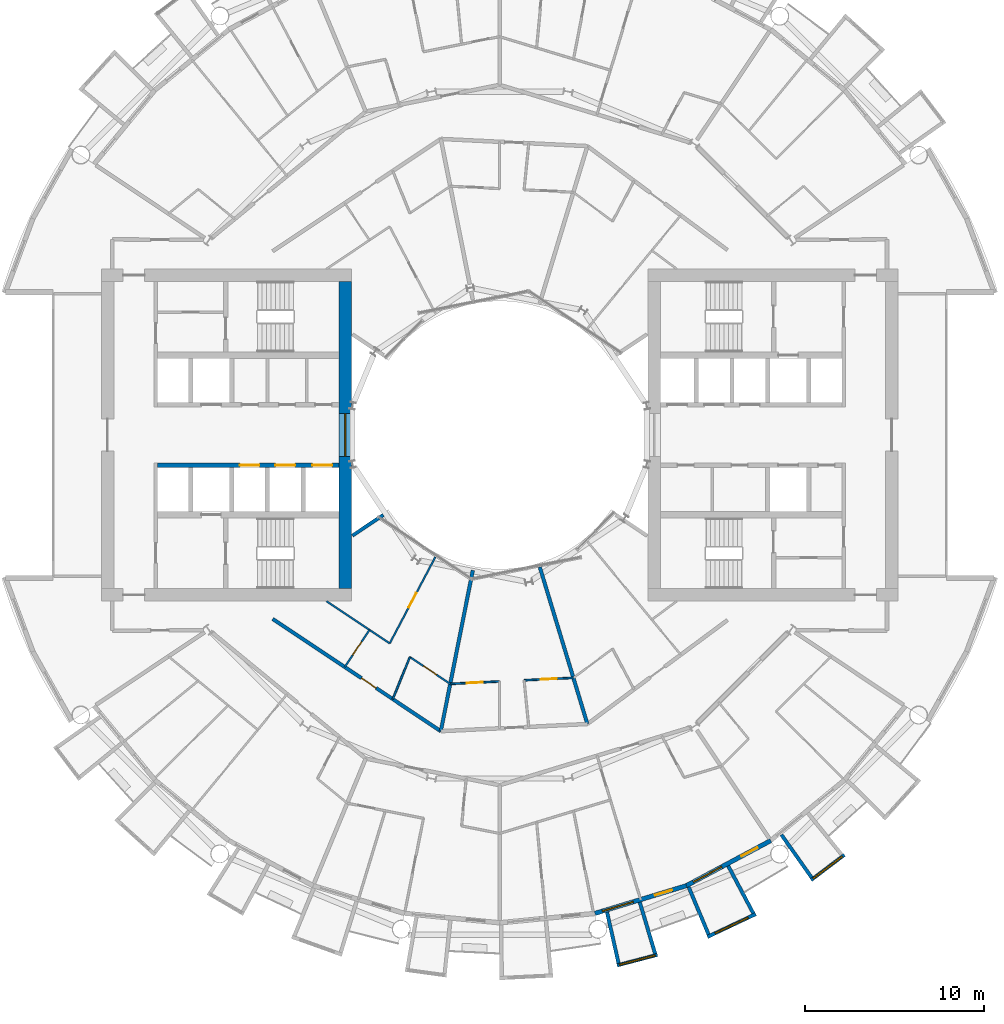
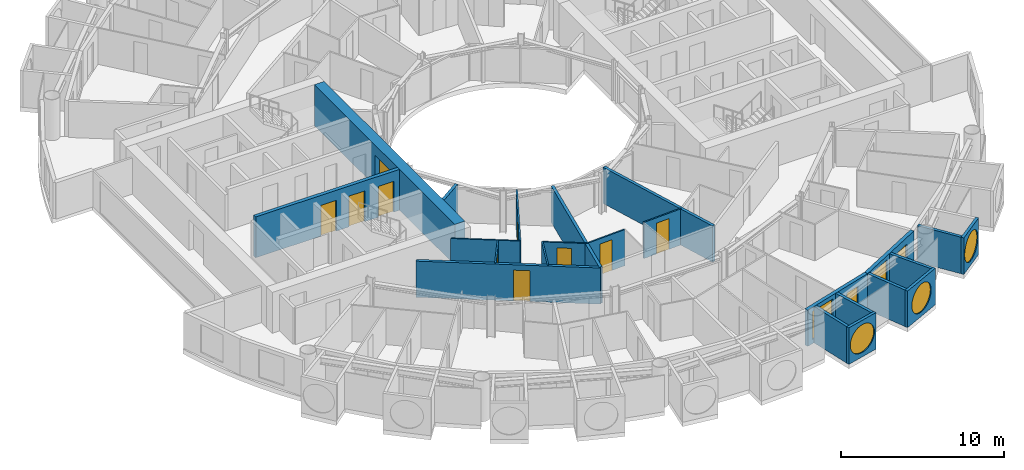
# One storey, part 15 of 26: 23 walls, 11 doors, 6 windows, 17 openings.
"""IFC4 building model written with IfcOpenShell, lengths in metres."""

from ifc_helpers import new_model, si_unit, direction, frame, frame_2d, origin, place, context, subcontext, project, spatial, rectangle, circle, extrude, material, layer, layer_set, type_object, element, fill, save


model = new_model("IFC4")

# Units and contexts
model_context = context("Model", 3, precision=1e-05, world=origin(), true_north=direction((0.0, 1.0)))
body_context = subcontext(model_context, "Body", "Model", "MODEL_VIEW")
ifc_project = project(units=[si_unit("LENGTHUNIT", "METRE"), si_unit("AREAUNIT", "SQUARE_METRE"), si_unit("VOLUMEUNIT", "CUBIC_METRE"), si_unit("PLANEANGLEUNIT", "RADIAN"), si_unit("MASSUNIT", "GRAM", prefix="KILO")], contexts=[model_context])

# Site, building, storey
site_placement = place(None, origin())
site = spatial("IfcSite", under=ifc_project, at=site_placement, CompositionType="ELEMENT")
building_placement = place(site_placement, origin())
building = spatial("IfcBuilding", under=site, at=building_placement, Name="Maasbend Ring Residences", CompositionType="ELEMENT")
storey_placement = place(building_placement, frame((0.0, 0.0, 91.050048828125)))
storey = spatial("IfcBuildingStorey", under=building, at=storey_placement, Name="L26", CompositionType="ELEMENT", Elevation=91.050048828125)

# Wall, openings, doors
ifc_material_1 = material(Name="Concrete C70/85", Category="concrete")
ifc_layer_1 = layer(ifc_material_1, 0.25)
ifc_layer_set_1 = layer_set([ifc_layer_1], Name="Concrete C70/85")
wall_type_1 = type_object("IfcWallType", Name="CORE WALL 250 C70/85", PredefinedType="SHEAR", material=ifc_layer_set_1)
wall_1_placement = place(storey_placement, frame((-9.0, -1.699951171875, 0.0), z_axis=(0.0, 0.0, 1.0), x_axis=(-1.0, 0.0, 0.0)))
wall_1 = element("IfcWall", 1, at=wall_1_placement, inside=storey, type_object=wall_type_1, Name="L26 core W wall SPN", PredefinedType="SHEAR", context=body_context, shape_type="SweptSolid", body=[
    extrude(rectangle(XDim=10.14990234375, YDim=0.25, at=frame_2d((5.074951171875, 0.0))), origin(), (0.0, 0.0, 1.0), 3.050048828125),
])
opening_1_placement = place(wall_1_placement, frame((0.387451171875, 0.0, 0.0)))
opening_1 = element("IfcOpeningElement", 2, at=opening_1_placement, cuts=wall_1, Name="Opening LD-W2601", PredefinedType="OPENING", context=body_context, shape_type="SweptSolid", body=[
    extrude(rectangle(XDim=1.10009765625, YDim=2.300048828125, at=frame_2d((0.550048828125, 1.14990234375))), frame((0.0, 0.135009765625, 0.0), z_axis=(0.0, -1.0, 0.0), x_axis=(1.0, 0.0, 0.0)), (0.0, 0.0, 1.0), 0.27001953125),
])
opening_2_placement = place(wall_1_placement, frame((2.449951171875, 0.0, 0.0)))
opening_2 = element("IfcOpeningElement", 3, at=opening_2_placement, cuts=wall_1, Name="Opening LD-W2602", PredefinedType="OPENING", context=body_context, shape_type="SweptSolid", body=[
    extrude(rectangle(XDim=1.10009765625, YDim=2.300048828125, at=frame_2d((0.550048828125, 1.14990234375))), frame((0.0, 0.135009765625, 0.0), z_axis=(0.0, -1.0, 0.0), x_axis=(1.0, 0.0, 0.0)), (0.0, 0.0, 1.0), 0.27001953125),
])
opening_3_placement = place(wall_1_placement, frame((4.449951171875, 0.0, 0.0)))
opening_3 = element("IfcOpeningElement", 4, at=opening_3_placement, cuts=wall_1, Name="Opening LD-W2603", PredefinedType="OPENING", context=body_context, shape_type="SweptSolid", body=[
    extrude(rectangle(XDim=1.10009765625, YDim=2.300048828125, at=frame_2d((0.550048828125, 1.14990234375))), frame((0.0, 0.135009765625, 0.0), z_axis=(0.0, -1.0, 0.0), x_axis=(1.0, 0.0, 0.0)), (0.0, 0.0, 1.0), 0.27001953125),
])
ifc_material_2 = material(Name="Stainless steel 316", Category="steel")
door_type_1 = type_object("IfcDoorType", Name="LANDING DOOR 1100 X 2300 FD60", OperationType="DOUBLE_DOOR_SLIDING", PredefinedType="DOOR", material=ifc_material_2)
door_1_placement = place(opening_1_placement, origin())
door_1 = element("IfcDoor", 5, at=door_1_placement, inside=storey, type_object=door_type_1, Name="Landing door LR-W1 L26", OperationType="DOUBLE_DOOR_SLIDING", OverallHeight=2.300048828125, OverallWidth=1.10009765625, PredefinedType="DOOR", context=body_context, shape_type="SweptSolid", body=[
    extrude(rectangle(XDim=1.10009765625, YDim=2.300048828125, at=frame_2d((0.550048828125, 1.14990234375))), frame((0.0, 0.02490234375, 0.0), z_axis=(0.0, -1.0, 0.0), x_axis=(1.0, 0.0, 0.0)), (0.0, 0.0, 1.0), 0.050048828125),
])
fill(opening_1, door_1)
door_2_placement = place(opening_2_placement, origin())
door_2 = element("IfcDoor", 6, at=door_2_placement, inside=storey, type_object=door_type_1, Name="Landing door LR-W2 L26", OperationType="DOUBLE_DOOR_SLIDING", OverallHeight=2.300048828125, OverallWidth=1.10009765625, PredefinedType="DOOR", context=body_context, shape_type="SweptSolid", body=[
    extrude(rectangle(XDim=1.10009765625, YDim=2.300048828125, at=frame_2d((0.550048828125, 1.14990234375))), frame((0.0, 0.02490234375, 0.0), z_axis=(0.0, -1.0, 0.0), x_axis=(1.0, 0.0, 0.0)), (0.0, 0.0, 1.0), 0.050048828125),
])
fill(opening_2, door_2)
door_3_placement = place(opening_3_placement, origin())
door_3 = element("IfcDoor", 7, at=door_3_placement, inside=storey, type_object=door_type_1, Name="Landing door LR-W3 L26", OperationType="DOUBLE_DOOR_SLIDING", OverallHeight=2.300048828125, OverallWidth=1.10009765625, PredefinedType="DOOR", context=body_context, shape_type="SweptSolid", body=[
    extrude(rectangle(XDim=1.10009765625, YDim=2.300048828125, at=frame_2d((0.550048828125, 1.14990234375))), frame((0.0, 0.02490234375, 0.0), z_axis=(0.0, -1.0, 0.0), x_axis=(1.0, 0.0, 0.0)), (0.0, 0.0, 1.0), 0.050048828125),
])
fill(opening_3, door_3)

# Wall, opening, window
ifc_material_3 = material(Name="Concrete C70/85", Category="concrete")
ifc_layer_2 = layer(ifc_material_3, 0.699951171875)
ifc_layer_set_2 = layer_set([ifc_layer_2], Name="Concrete C70/85")
wall_type_2 = type_object("IfcWallType", Name="CORE WALL 700 C70/85", PredefinedType="SHEAR", material=ifc_layer_set_2)
wall_2_placement = place(storey_placement, frame((-8.64990234375, 8.60009765625, 0.0), z_axis=(0.0, 0.0, 1.0), x_axis=(0.0, -1.0, 0.0)))
wall_2 = element("IfcWall", 8, at=wall_2_placement, inside=storey, type_object=wall_type_2, Name="L26 core W wall PIN", PredefinedType="SHEAR", context=body_context, shape_type="SweptSolid", body=[
    extrude(rectangle(XDim=17.2001953125, YDim=0.699951171875, at=frame_2d((8.60009765625, 0.0))), origin(), (0.0, 0.0, 1.0), 3.050048828125),
])
opening_4_placement = place(wall_2_placement, frame((7.39990234375, 0.0, 0.10009765625)))
opening_4 = element("IfcOpeningElement", 9, at=opening_4_placement, cuts=wall_2, Name="Opening W-W2601", PredefinedType="OPENING", context=body_context, shape_type="SweptSolid", body=[
    extrude(rectangle(XDim=2.39990234375, YDim=2.199951171875, at=frame_2d((1.199951171875, 1.10009765625))), frame((0.0, 0.35986328125, 0.0), z_axis=(0.0, -1.0, 0.0), x_axis=(1.0, 0.0, 0.0)), (0.0, 0.0, 1.0), 0.719970703125),
])
ifc_material_4 = material(Name="Aluminium frame and clear glass", Category="aluminium")
window_type_1 = type_object("IfcWindowType", Name="FIXED WINDOW 2400 X 2200", PartitioningType="SINGLE_PANEL", PredefinedType="WINDOW", material=ifc_material_4)
window_1_placement = place(opening_4_placement, origin())
window_1 = element("IfcWindow", 10, at=window_1_placement, inside=storey, type_object=window_type_1, Name="Lobby window L26", OverallHeight=2.199951171875, OverallWidth=2.39990234375, PartitioningType="SINGLE_PANEL", PredefinedType="WINDOW", context=body_context, shape_type="SweptSolid", body=[
    extrude(rectangle(XDim=2.39990234375, YDim=2.199951171875, at=frame_2d((1.199951171875, 1.10009765625))), frame((0.0, 0.030029296875, 0.0), z_axis=(0.0, -1.0, 0.0), x_axis=(1.0, 0.0, 0.0)), (0.0, 0.0, 1.0), 0.06005859375),
])
fill(opening_4, window_1)

# Wall, opening, door
ifc_material_5 = material(Name="Concrete C30/37", Category="concrete")
ifc_layer_3 = layer(ifc_material_5, 0.199951171875)
ifc_layer_set_3 = layer_set([ifc_layer_3], Name="Concrete C30/37")
wall_type_3 = type_object("IfcWallType", Name="CORRIDOR WALL 200 CONCRETE", PredefinedType="PARTITIONING", material=ifc_layer_set_3)
wall_3_placement = place(storey_placement, frame((-12.7060546875, -10.291015625, 0.0), z_axis=(0.0, 0.0, 1.0), x_axis=(0.831588572532, -0.555392155178, 0.0)))
wall_3 = element("IfcWall", 11, at=wall_3_placement, inside=storey, type_object=wall_type_3, Name="U-L26-w017", PredefinedType="PARTITIONING", context=body_context, shape_type="SweptSolid", body=[
    extrude(rectangle(XDim=11.314453125, YDim=0.199951171875, at=frame_2d((5.6572265625, 0.0))), origin(), (0.0, 0.0, 1.0), 2.699951171875),
])
opening_5_placement = place(wall_3_placement, frame((5.966064453125, 0.0, 0.0)))
opening_5 = element("IfcOpeningElement", 12, at=opening_5_placement, cuts=wall_3, Name="Opening D-2652", PredefinedType="OPENING", context=body_context, shape_type="SweptSolid", body=[
    extrude(rectangle(XDim=1.0, YDim=2.300048828125, at=frame_2d((0.5, 1.14990234375))), frame((0.0, 0.10986328125, 0.0), z_axis=(0.0, -1.0, 0.0), x_axis=(1.0, 0.0, 0.0)), (0.0, 0.0, 1.0), 0.219970703125),
])
ifc_material_6 = material(Name="Timber, fire-rated, painted", Category="wood")
door_type_2 = type_object("IfcDoorType", Name="FLAT ENTRANCE DOOR 1000 X 2300 FIRE-RATED", OperationType="NOTDEFINED", PredefinedType="DOOR", material=ifc_material_6)
door_4_placement = place(opening_5_placement, origin())
door_4 = element("IfcDoor", 13, at=door_4_placement, inside=storey, type_object=door_type_2, Name="D-2652", OperationType="SINGLE_SWING_RIGHT", OverallHeight=2.300048828125, OverallWidth=1.0, PredefinedType="DOOR", context=body_context, shape_type="SweptSolid", body=[
    extrude(rectangle(XDim=1.0, YDim=2.300048828125, at=frame_2d((0.5, 1.14990234375))), frame((0.0, 0.02490234375, 0.0), z_axis=(0.0, -1.0, 0.0), x_axis=(1.0, 0.0, 0.0)), (0.0, 0.0, 1.0), 0.050048828125),
])
fill(opening_5, door_4)

# Wall, opening, window
ifc_material_7 = material(Name="Pale anodised aluminium panel", Category="aluminium")
ifc_layer_4 = layer(ifc_material_7, 0.199951171875)
ifc_layer_set_4 = layer_set([ifc_layer_4], Name="EW-BOX")
wall_type_4 = type_object("IfcWallType", Name="EW-BOX", PredefinedType="SOLIDWALL", material=ifc_layer_set_4)
wall_4_placement = place(storey_placement, frame((6.568115234375, -29.681884765625, -0.030029296875), z_axis=(0.0, 0.0, 1.0), x_axis=(0.967377102346, 0.253340762326, 0.0)))
wall_4 = element("IfcWall", 14, at=wall_4_placement, inside=storey, type_object=wall_type_4, Name="Box front S13", PredefinedType="SOLIDWALL", context=body_context, shape_type="SweptSolid", body=[
    extrude(rectangle(XDim=2.3359375, YDim=0.199951171875, at=frame_2d((1.16796875, 0.0))), origin(), (0.0, 0.0, 1.0), 2.72998046875),
])
opening_6_placement = place(wall_4_placement, frame((0.128173828125, 0.0, 0.330078125)))
opening_6 = element("IfcOpeningElement", 15, at=opening_6_placement, cuts=wall_4, Name="Opening W-RD", PredefinedType="OPENING", context=body_context, shape_type="SweptSolid", body=[
    extrude(circle(Radius=1.0400390625, at=frame_2d((1.0400390625, 1.0400390625))), frame((0.0, 0.10986328125, 0.0), z_axis=(0.0, -1.0, 0.0), x_axis=(1.0, 0.0, 0.0)), (0.0, 0.0, 1.0), 0.219970703125),
])
ifc_material_8 = material(Name="Aluminium and clear glass", Category="aluminium")
window_type_2 = type_object("IfcWindowType", Name="W-RD", PartitioningType="SINGLE_PANEL", PredefinedType="WINDOW", material=ifc_material_8)
window_2_placement = place(opening_6_placement, origin())
window_2 = element("IfcWindow", 16, at=window_2_placement, inside=storey, type_object=window_type_2, Name="Round window S13", OverallHeight=2.080078125, OverallWidth=2.080078125, PartitioningType="SINGLE_PANEL", PredefinedType="WINDOW", context=body_context, shape_type="SweptSolid", body=[
    extrude(circle(Radius=1.0400390625, at=frame_2d((1.0400390625, 1.0400390625))), frame((0.0, 0.030029296875, 0.0), z_axis=(0.0, -1.0, 0.0), x_axis=(1.0, 0.0, 0.0)), (0.0, 0.0, 1.0), 0.06005859375),
])
fill(opening_6, window_2)

# Walls
wall_5_placement = place(storey_placement, frame((6.00390625, -26.699951171875, -0.030029296875), z_axis=(0.0, 0.0, 1.0), x_axis=(0.219609259383, -0.975587911566, 0.0)))
element("IfcWall", 17, at=wall_5_placement, inside=storey, type_object=wall_type_4, Name="Box side wall S13 left", PredefinedType="SOLIDWALL", context=body_context, shape_type="SweptSolid", body=[
    extrude(rectangle(XDim=2.9326171875, YDim=0.199951171875, at=frame_2d((1.46630859375, 0.0))), origin(), (0.0, 0.0, 1.0), 2.72998046875),
])
wall_6_placement = place(storey_placement, frame((7.8369140625, -26.14404296875, -0.030029296875), z_axis=(0.0, 0.0, 1.0), x_axis=(0.287064767992, -0.957911174889, 0.0)))
element("IfcWall", 18, at=wall_6_placement, inside=storey, type_object=wall_type_4, Name="Box side wall S13 right", PredefinedType="SOLIDWALL", context=body_context, shape_type="SweptSolid", body=[
    extrude(rectangle(XDim=3.00634765625, YDim=0.199951171875, at=frame_2d((1.503173828125, 0.0))), origin(), (0.0, 0.0, 1.0), 2.72998046875),
])

# Wall, opening, window
wall_7_placement = place(storey_placement, frame((11.62890625, -28.087890625, -0.030029296875), z_axis=(0.0, 0.0, 1.0), x_axis=(0.904000060331, 0.427532327342, 0.0)))
wall_7 = element("IfcWall", 19, at=wall_7_placement, inside=storey, type_object=wall_type_4, Name="Box front S15", PredefinedType="SOLIDWALL", context=body_context, shape_type="SweptSolid", body=[
    extrude(rectangle(XDim=2.993408203125, YDim=0.199951171875, at=frame_2d((1.49658203125, 0.0))), origin(), (0.0, 0.0, 1.0), 2.72998046875),
])
opening_7_placement = place(wall_7_placement, frame((0.45654296875, 0.0, 0.330078125)))
opening_7 = element("IfcOpeningElement", 20, at=opening_7_placement, cuts=wall_7, Name="Opening W-RD", PredefinedType="OPENING", context=body_context, shape_type="SweptSolid", body=[
    extrude(circle(Radius=1.0400390625, at=frame_2d((1.0400390625, 1.0400390625))), frame((0.0, 0.10986328125, 0.0), z_axis=(0.0, -1.0, 0.0), x_axis=(1.0, 0.0, 0.0)), (0.0, 0.0, 1.0), 0.219970703125),
])
window_3_placement = place(opening_7_placement, origin())
window_3 = element("IfcWindow", 21, at=window_3_placement, inside=storey, type_object=window_type_2, Name="Round window S15", OverallHeight=2.080078125, OverallWidth=2.080078125, PartitioningType="SINGLE_PANEL", PredefinedType="WINDOW", context=body_context, shape_type="SweptSolid", body=[
    extrude(circle(Radius=1.0400390625, at=frame_2d((1.0400390625, 1.0400390625))), frame((0.0, 0.030029296875, 0.0), z_axis=(0.0, -1.0, 0.0), x_axis=(1.0, 0.0, 0.0)), (0.0, 0.0, 1.0), 0.06005859375),
])
fill(opening_7, window_3)

# Walls
wall_8_placement = place(storey_placement, frame((10.574951171875, -25.294921875, -0.030029296875), z_axis=(0.0, 0.0, 1.0), x_axis=(0.385697364644, -0.922625353492, 0.0)))
element("IfcWall", 22, at=wall_8_placement, inside=storey, type_object=wall_type_4, Name="Box side wall S15 left", PredefinedType="SOLIDWALL", context=body_context, shape_type="SweptSolid", body=[
    extrude(rectangle(XDim=2.88330078125, YDim=0.199951171875, at=frame_2d((1.441650390625, 0.0))), origin(), (0.0, 0.0, 1.0), 2.72998046875),
])
wall_9_placement = place(storey_placement, frame((12.787109375, -24.113037109375, -0.030029296875), z_axis=(0.0, 0.0, 1.0), x_axis=(0.468365282436, -0.883534924159, 0.0)))
element("IfcWall", 23, at=wall_9_placement, inside=storey, type_object=wall_type_4, Name="Box side wall S15 right", PredefinedType="SOLIDWALL", context=body_context, shape_type="SweptSolid", body=[
    extrude(rectangle(XDim=3.006103515625, YDim=0.199951171875, at=frame_2d((1.5029296875, 0.0))), origin(), (0.0, 0.0, 1.0), 2.72998046875),
])

# Wall, opening, window
wall_10_placement = place(storey_placement, frame((17.427001953125, -24.908935546875, -0.030029296875), z_axis=(0.0, 0.0, 1.0), x_axis=(0.796842165306, 0.60418752353, 0.0)))
wall_10 = element("IfcWall", 24, at=wall_10_placement, inside=storey, type_object=wall_type_4, Name="Box front S17", PredefinedType="SOLIDWALL", context=body_context, shape_type="SweptSolid", body=[
    extrude(rectangle(XDim=2.3369140625, YDim=0.199951171875, at=frame_2d((1.16845703125, 0.0))), origin(), (0.0, 0.0, 1.0), 2.72998046875),
])
opening_8_placement = place(wall_10_placement, frame((0.128173828125, 0.0, 0.330078125)))
opening_8 = element("IfcOpeningElement", 25, at=opening_8_placement, cuts=wall_10, Name="Opening W-RD", PredefinedType="OPENING", context=body_context, shape_type="SweptSolid", body=[
    extrude(circle(Radius=1.0400390625, at=frame_2d((1.0400390625, 1.0400390625))), frame((0.0, 0.10986328125, 0.0), z_axis=(0.0, -1.0, 0.0), x_axis=(1.0, 0.0, 0.0)), (0.0, 0.0, 1.0), 0.219970703125),
])
window_4_placement = place(opening_8_placement, origin())
window_4 = element("IfcWindow", 26, at=window_4_placement, inside=storey, type_object=window_type_2, Name="Round window S17", OverallHeight=2.080078125, OverallWidth=2.080078125, PartitioningType="SINGLE_PANEL", PredefinedType="WINDOW", context=body_context, shape_type="SweptSolid", body=[
    extrude(circle(Radius=1.0400390625, at=frame_2d((1.0400390625, 1.0400390625))), frame((0.0, 0.030029296875, 0.0), z_axis=(0.0, -1.0, 0.0), x_axis=(1.0, 0.0, 0.0)), (0.0, 0.0, 1.0), 0.06005859375),
])
fill(opening_8, window_4)

# Wall
wall_11_placement = place(storey_placement, frame((15.764892578125, -22.3701171875, -0.030029296875), z_axis=(0.0, 0.0, 1.0), x_axis=(0.576274612209, -0.817256123454, 0.0)))
element("IfcWall", 27, at=wall_11_placement, inside=storey, type_object=wall_type_4, Name="Box side wall S17 left", PredefinedType="SOLIDWALL", context=body_context, shape_type="SweptSolid", body=[
    extrude(rectangle(XDim=2.932861328125, YDim=0.199951171875, at=frame_2d((1.46630859375, 0.0))), origin(), (0.0, 0.0, 1.0), 2.72998046875),
])

# Wall, openings, door, window
ifc_material_9 = material(Name="Aluminium clad insulated panel", Category="aluminium")
ifc_layer_5 = layer(ifc_material_9, 0.25)
ifc_layer_set_5 = layer_set([ifc_layer_5], Name="EW-GL")
wall_type_5 = type_object("IfcWallType", Name="EW-GL", PredefinedType="SOLIDWALL", material=ifc_layer_set_5)
wall_12_placement = place(storey_placement, frame((5.325927734375, -26.77490234375, 0.0), z_axis=(0.0, 0.0, 1.0), x_axis=(0.956965678721, 0.290201119486, 0.0)))
wall_12 = element("IfcWall", 28, at=wall_12_placement, inside=storey, type_object=wall_type_5, Name="External wall S07", PredefinedType="SOLIDWALL", context=body_context, shape_type="SweptSolid", body=[
    extrude(rectangle(XDim=5.351318359375, YDim=0.25, at=frame_2d((2.67578125, 0.0))), origin(), (0.0, 0.0, 1.0), 2.699951171875),
])
opening_9_placement = place(wall_12_placement, frame((0.441162109375, 0.0, 0.300048828125)))
opening_9 = element("IfcOpeningElement", 29, at=opening_9_placement, cuts=wall_12, Name="Opening W-BX", PredefinedType="OPENING", context=body_context, shape_type="SweptSolid", body=[
    extrude(rectangle(XDim=1.800048828125, YDim=2.10009765625, at=frame_2d((0.89990234375, 1.050048828125))), frame((0.0, 0.135009765625, 0.0), z_axis=(0.0, -1.0, 0.0), x_axis=(1.0, 0.0, 0.0)), (0.0, 0.0, 1.0), 0.27001953125),
])
opening_10_placement = place(wall_12_placement, frame((3.510498046875, 0.0, 0.0)))
opening_10 = element("IfcOpeningElement", 30, at=opening_10_placement, cuts=wall_12, Name="Opening D-LG", PredefinedType="OPENING", context=body_context, shape_type="SweptSolid", body=[
    extrude(rectangle(XDim=1.0, YDim=2.199951171875, at=frame_2d((0.5, 1.10009765625))), frame((0.0, 0.135009765625, 0.0), z_axis=(0.0, -1.0, 0.0), x_axis=(1.0, 0.0, 0.0)), (0.0, 0.0, 1.0), 0.27001953125),
])
ifc_material_10 = material(Name="Aluminium and clear glass", Category="aluminium")
door_type_3 = type_object("IfcDoorType", Name="D-LG", OperationType="SINGLE_SWING_LEFT", PredefinedType="DOOR", material=ifc_material_10)
door_5_placement = place(opening_10_placement, origin())
door_5 = element("IfcDoor", 31, at=door_5_placement, inside=storey, type_object=door_type_3, Name="Loggia door S14", OperationType="SINGLE_SWING_LEFT", OverallHeight=2.199951171875, OverallWidth=1.0, PredefinedType="DOOR", context=body_context, shape_type="SweptSolid", body=[
    extrude(rectangle(XDim=1.0, YDim=2.199951171875, at=frame_2d((0.5, 1.10009765625))), frame((0.0, 0.02490234375, 0.0), z_axis=(0.0, -1.0, 0.0), x_axis=(1.0, 0.0, 0.0)), (0.0, 0.0, 1.0), 0.050048828125),
])
fill(opening_10, door_5)
ifc_material_11 = material(Name="Aluminium and clear glass", Category="aluminium")
window_type_3 = type_object("IfcWindowType", Name="W-BX", PartitioningType="DOUBLE_PANEL_VERTICAL", PredefinedType="WINDOW", material=ifc_material_11)
window_5_placement = place(opening_9_placement, origin())
window_5 = element("IfcWindow", 32, at=window_5_placement, inside=storey, type_object=window_type_3, Name="Window S13 room to box", OverallHeight=2.10009765625, OverallWidth=1.800048828125, PartitioningType="SINGLE_PANEL", PredefinedType="WINDOW", context=body_context, shape_type="SweptSolid", body=[
    extrude(rectangle(XDim=1.800048828125, YDim=2.10009765625, at=frame_2d((0.89990234375, 1.050048828125))), frame((0.0, 0.030029296875, 0.0), z_axis=(0.0, -1.0, 0.0), x_axis=(1.0, 0.0, 0.0)), (0.0, 0.0, 1.0), 0.06005859375),
])
fill(opening_9, window_5)

wall_13_placement = place(storey_placement, frame((10.447021484375, -25.221923828125, 0.0), z_axis=(0.0, 0.0, 1.0), x_axis=(0.881915646801, 0.471407246368, 0.0)))
wall_13 = element("IfcWall", 33, at=wall_13_placement, inside=storey, type_object=wall_type_5, Name="External wall S08", PredefinedType="SOLIDWALL", context=body_context, shape_type="SweptSolid", body=[
    extrude(rectangle(XDim=5.35205078125, YDim=0.25, at=frame_2d((2.676025390625, 0.0))), origin(), (0.0, 0.0, 1.0), 2.699951171875),
])
opening_11_placement = place(wall_13_placement, frame((0.441162109375, 0.0, 0.300048828125)))
opening_11 = element("IfcOpeningElement", 34, at=opening_11_placement, cuts=wall_13, Name="Opening W-BX", PredefinedType="OPENING", context=body_context, shape_type="SweptSolid", body=[
    extrude(rectangle(XDim=1.800048828125, YDim=2.10009765625, at=frame_2d((0.89990234375, 1.050048828125))), frame((0.0, 0.135009765625, 0.0), z_axis=(0.0, -1.0, 0.0), x_axis=(1.0, 0.0, 0.0)), (0.0, 0.0, 1.0), 0.27001953125),
])
opening_12_placement = place(wall_13_placement, frame((3.510498046875, 0.0, 0.0)))
opening_12 = element("IfcOpeningElement", 35, at=opening_12_placement, cuts=wall_13, Name="Opening D-LG", PredefinedType="OPENING", context=body_context, shape_type="SweptSolid", body=[
    extrude(rectangle(XDim=1.0, YDim=2.199951171875, at=frame_2d((0.5, 1.10009765625))), frame((0.0, 0.135009765625, 0.0), z_axis=(0.0, -1.0, 0.0), x_axis=(1.0, 0.0, 0.0)), (0.0, 0.0, 1.0), 0.27001953125),
])
door_6_placement = place(opening_12_placement, origin())
door_6 = element("IfcDoor", 36, at=door_6_placement, inside=storey, type_object=door_type_3, Name="Loggia door S16", OperationType="SINGLE_SWING_LEFT", OverallHeight=2.199951171875, OverallWidth=1.0, PredefinedType="DOOR", context=body_context, shape_type="SweptSolid", body=[
    extrude(rectangle(XDim=1.0, YDim=2.199951171875, at=frame_2d((0.5, 1.10009765625))), frame((0.0, 0.02490234375, 0.0), z_axis=(0.0, -1.0, 0.0), x_axis=(1.0, 0.0, 0.0)), (0.0, 0.0, 1.0), 0.050048828125),
])
fill(opening_12, door_6)
window_6_placement = place(opening_11_placement, origin())
window_6 = element("IfcWindow", 37, at=window_6_placement, inside=storey, type_object=window_type_3, Name="Window S15 room to box", OverallHeight=2.10009765625, OverallWidth=1.800048828125, PartitioningType="SINGLE_PANEL", PredefinedType="WINDOW", context=body_context, shape_type="SweptSolid", body=[
    extrude(rectangle(XDim=1.800048828125, YDim=2.10009765625, at=frame_2d((0.89990234375, 1.050048828125))), frame((0.0, 0.030029296875, 0.0), z_axis=(0.0, -1.0, 0.0), x_axis=(1.0, 0.0, 0.0)), (0.0, 0.0, 1.0), 0.06005859375),
])
fill(opening_11, window_6)

# Wall, opening, door
ifc_material_12 = material(Name="Gypsum board on steel studs", Category="steel")
ifc_layer_6 = layer(ifc_material_12, 0.10009765625)
ifc_layer_set_6 = layer_set([ifc_layer_6], Name="PARTITION 100 GYPSUM")
wall_type_6 = type_object("IfcWallType", Name="PARTITION 100 GYPSUM", PredefinedType="PARTITIONING", material=ifc_layer_set_6)
wall_14_placement = place(storey_placement, frame((-2.77197265625, -13.927001953125, 0.0), z_axis=(0.0, 0.0, 1.0), x_axis=(0.998787571158, 0.04922791586, 0.0)))
wall_14 = element("IfcWall", 38, at=wall_14_placement, inside=storey, type_object=wall_type_6, Name="U-L26-w018", PredefinedType="PARTITIONING", context=body_context, shape_type="SweptSolid", body=[
    extrude(rectangle(XDim=2.762451171875, YDim=0.10009765625, at=frame_2d((1.38134765625, 0.0))), origin(), (0.0, 0.0, 1.0), 2.699951171875),
])
opening_13_placement = place(wall_14_placement, frame((0.93310546875, 0.0, 0.0)))
opening_13 = element("IfcOpeningElement", 39, at=opening_13_placement, cuts=wall_14, Name="Opening D-2658", PredefinedType="OPENING", context=body_context, shape_type="SweptSolid", body=[
    extrude(rectangle(XDim=0.89990234375, YDim=2.300048828125, at=frame_2d((0.449951171875, 1.14990234375))), frame((0.0, 0.06005859375, 0.0), z_axis=(0.0, -1.0, 0.0), x_axis=(1.0, 0.0, 0.0)), (0.0, 0.0, 1.0), 0.1201171875),
])
ifc_material_13 = material(Name="Timber, painted", Category="wood")
door_type_4 = type_object("IfcDoorType", Name="INTERNAL DOOR 900 X 2300", OperationType="NOTDEFINED", PredefinedType="DOOR", material=ifc_material_13)
door_7_placement = place(opening_13_placement, origin())
door_7 = element("IfcDoor", 40, at=door_7_placement, inside=storey, type_object=door_type_4, Name="D-2658", OperationType="SINGLE_SWING_RIGHT", OverallHeight=2.300048828125, OverallWidth=0.89990234375, PredefinedType="DOOR", context=body_context, shape_type="SweptSolid", body=[
    extrude(rectangle(XDim=0.89990234375, YDim=2.300048828125, at=frame_2d((0.449951171875, 1.14990234375))), frame((0.0, 0.02490234375, 0.0), z_axis=(0.0, -1.0, 0.0), x_axis=(1.0, 0.0, 0.0)), (0.0, 0.0, 1.0), 0.050048828125),
])
fill(opening_13, door_7)

wall_15_placement = place(storey_placement, frame((1.364990234375, -13.72412109375, 0.0), z_axis=(0.0, 0.0, 1.0), x_axis=(0.99880320044, 0.048909782152, 0.0)))
wall_15 = element("IfcWall", 41, at=wall_15_placement, inside=storey, type_object=wall_type_6, Name="U-L26-w019", PredefinedType="PARTITIONING", context=body_context, shape_type="SweptSolid", body=[
    extrude(rectangle(XDim=2.760498046875, YDim=0.10009765625, at=frame_2d((1.38037109375, 0.0))), origin(), (0.0, 0.0, 1.0), 2.699951171875),
])
opening_14_placement = place(wall_15_placement, frame((0.929931640625, 0.0, 0.0)))
opening_14 = element("IfcOpeningElement", 42, at=opening_14_placement, cuts=wall_15, Name="Opening D-2657", PredefinedType="OPENING", context=body_context, shape_type="SweptSolid", body=[
    extrude(rectangle(XDim=0.89990234375, YDim=2.300048828125, at=frame_2d((0.449951171875, 1.14990234375))), frame((0.0, 0.06005859375, 0.0), z_axis=(0.0, -1.0, 0.0), x_axis=(1.0, 0.0, 0.0)), (0.0, 0.0, 1.0), 0.1201171875),
])
door_8_placement = place(opening_14_placement, origin())
door_8 = element("IfcDoor", 43, at=door_8_placement, inside=storey, type_object=door_type_4, Name="D-2657", OperationType="SINGLE_SWING_RIGHT", OverallHeight=2.300048828125, OverallWidth=0.89990234375, PredefinedType="DOOR", context=body_context, shape_type="SweptSolid", body=[
    extrude(rectangle(XDim=0.89990234375, YDim=2.300048828125, at=frame_2d((0.449951171875, 1.14990234375))), frame((0.0, 0.02490234375, 0.0), z_axis=(0.0, -1.0, 0.0), x_axis=(1.0, 0.0, 0.0)), (0.0, 0.0, 1.0), 0.050048828125),
])
fill(opening_14, door_8)

# Wall
wall_16_placement = place(storey_placement, frame((-9.693115234375, -9.302001953125, 0.0), z_axis=(0.0, 0.0, 1.0), x_axis=(0.831546497949, -0.555455148278, 0.0)))
element("IfcWall", 44, at=wall_16_placement, inside=storey, type_object=wall_type_6, Name="U-L26-w022", PredefinedType="PARTITIONING", context=body_context, shape_type="SweptSolid", body=[
    extrude(rectangle(XDim=4.25244140625, YDim=0.10009765625, at=frame_2d((2.126220703125, 0.0))), origin(), (0.0, 0.0, 1.0), 2.699951171875),
])

# Wall, opening, door
wall_17_placement = place(storey_placement, frame((-5.029052734375, -12.41796875, 0.0), z_axis=(0.0, 0.0, 1.0), x_axis=(0.831538390496, -0.555467285384, 0.0)))
wall_17 = element("IfcWall", 45, at=wall_17_placement, inside=storey, type_object=wall_type_6, Name="U-L26-w023", PredefinedType="PARTITIONING", context=body_context, shape_type="SweptSolid", body=[
    extrude(rectangle(XDim=2.716796875, YDim=0.10009765625, at=frame_2d((1.3583984375, 0.0))), origin(), (0.0, 0.0, 1.0), 2.699951171875),
])
opening_15_placement = place(wall_17_placement, frame((0.907958984375, 0.0, 0.0)))
opening_15 = element("IfcOpeningElement", 46, at=opening_15_placement, cuts=wall_17, Name="Opening D-2653", PredefinedType="OPENING", context=body_context, shape_type="SweptSolid", body=[
    extrude(rectangle(XDim=0.89990234375, YDim=2.300048828125, at=frame_2d((0.449951171875, 1.14990234375))), frame((0.0, 0.06005859375, 0.0), z_axis=(0.0, -1.0, 0.0), x_axis=(1.0, 0.0, 0.0)), (0.0, 0.0, 1.0), 0.1201171875),
])
door_9_placement = place(opening_15_placement, origin())
door_9 = element("IfcDoor", 47, at=door_9_placement, inside=storey, type_object=door_type_4, Name="D-2653", OperationType="SINGLE_SWING_LEFT", OverallHeight=2.300048828125, OverallWidth=0.89990234375, PredefinedType="DOOR", context=body_context, shape_type="SweptSolid", body=[
    extrude(rectangle(XDim=0.89990234375, YDim=2.300048828125, at=frame_2d((0.449951171875, 1.14990234375))), frame((0.0, 0.02490234375, 0.0), z_axis=(0.0, -1.0, 0.0), x_axis=(1.0, 0.0, 0.0)), (0.0, 0.0, 1.0), 0.050048828125),
])
fill(opening_15, door_9)

wall_18_placement = place(storey_placement, frame((-8.674072265625, -12.98193359375, 0.0), z_axis=(0.0, 0.0, 1.0), x_axis=(0.555355163998, 0.831613276602, 0.0)))
wall_18 = element("IfcWall", 48, at=wall_18_placement, inside=storey, type_object=wall_type_6, Name="U-L26-w040", PredefinedType="PARTITIONING", context=body_context, shape_type="SweptSolid", body=[
    extrude(rectangle(XDim=2.493896484375, YDim=0.10009765625, at=frame_2d((1.2470703125, 0.0))), origin(), (0.0, 0.0, 1.0), 2.699951171875),
])
opening_16_placement = place(wall_18_placement, frame((0.797119140625, 0.0, 0.0)))
opening_16 = element("IfcOpeningElement", 49, at=opening_16_placement, cuts=wall_18, Name="Opening D-2654", PredefinedType="OPENING", context=body_context, shape_type="SweptSolid", body=[
    extrude(rectangle(XDim=0.89990234375, YDim=2.300048828125, at=frame_2d((0.449951171875, 1.14990234375))), frame((0.0, 0.06005859375, 0.0), z_axis=(0.0, -1.0, 0.0), x_axis=(1.0, 0.0, 0.0)), (0.0, 0.0, 1.0), 0.1201171875),
])
door_10_placement = place(opening_16_placement, origin())
door_10 = element("IfcDoor", 50, at=door_10_placement, inside=storey, type_object=door_type_4, Name="D-2654", OperationType="SINGLE_SWING_RIGHT", OverallHeight=2.300048828125, OverallWidth=0.89990234375, PredefinedType="DOOR", context=body_context, shape_type="SweptSolid", body=[
    extrude(rectangle(XDim=0.89990234375, YDim=2.300048828125, at=frame_2d((0.449951171875, 1.14990234375))), frame((0.0, 0.02490234375, 0.0), z_axis=(0.0, -1.0, 0.0), x_axis=(1.0, 0.0, 0.0)), (0.0, 0.0, 1.0), 0.050048828125),
])
fill(opening_16, door_10)

wall_19_placement = place(storey_placement, frame((-6.157958984375, -11.6630859375, 0.0), z_axis=(0.0, 0.0, 1.0), x_axis=(0.466976820365, 0.884269556889, 0.0)))
wall_19 = element("IfcWall", 51, at=wall_19_placement, inside=storey, type_object=wall_type_6, Name="U-L26-w045", PredefinedType="PARTITIONING", context=body_context, shape_type="SweptSolid", body=[
    extrude(rectangle(XDim=5.46923828125, YDim=0.10009765625, at=frame_2d((2.734619140625, 0.0))), origin(), (0.0, 0.0, 1.0), 2.699951171875),
])
opening_17_placement = place(wall_19_placement, frame((2.283935546875, 0.0, 0.0)))
opening_17 = element("IfcOpeningElement", 52, at=opening_17_placement, cuts=wall_19, Name="Opening D-2655", PredefinedType="OPENING", context=body_context, shape_type="SweptSolid", body=[
    extrude(rectangle(XDim=0.89990234375, YDim=2.300048828125, at=frame_2d((0.449951171875, 1.14990234375))), frame((0.0, 0.06005859375, 0.0), z_axis=(0.0, -1.0, 0.0), x_axis=(1.0, 0.0, 0.0)), (0.0, 0.0, 1.0), 0.1201171875),
])
door_11_placement = place(opening_17_placement, origin())
door_11 = element("IfcDoor", 53, at=door_11_placement, inside=storey, type_object=door_type_4, Name="D-2655", OperationType="SINGLE_SWING_LEFT", OverallHeight=2.300048828125, OverallWidth=0.89990234375, PredefinedType="DOOR", context=body_context, shape_type="SweptSolid", body=[
    extrude(rectangle(XDim=0.89990234375, YDim=2.300048828125, at=frame_2d((0.449951171875, 1.14990234375))), frame((0.0, 0.02490234375, 0.0), z_axis=(0.0, -1.0, 0.0), x_axis=(1.0, 0.0, 0.0)), (0.0, 0.0, 1.0), 0.050048828125),
])
fill(opening_17, door_11)

# Walls
wall_20_placement = place(storey_placement, frame((-5.986083984375, -14.779052734375, 0.0), z_axis=(0.0, 0.0, 1.0), x_axis=(0.375649498413, 0.926761811008, 0.0)))
element("IfcWall", 54, at=wall_20_placement, inside=storey, type_object=wall_type_6, Name="U-L26-w046", PredefinedType="PARTITIONING", context=body_context, shape_type="SweptSolid", body=[
    extrude(rectangle(XDim=2.547607421875, YDim=0.10009765625, at=frame_2d((1.27392578125, 0.0))), origin(), (0.0, 0.0, 1.0), 2.699951171875),
])
ifc_material_14 = material(Name="Concrete C30/37", Category="concrete")
ifc_layer_7 = layer(ifc_material_14, 0.199951171875)
ifc_layer_set_7 = layer_set([ifc_layer_7], Name="Concrete C30/37")
wall_type_7 = type_object("IfcWallType", Name="PARTY WALL 200 CONCRETE", PredefinedType="PARTITIONING", material=ifc_layer_set_7)
wall_21_placement = place(storey_placement, frame((-6.512939453125, -4.471923828125, 0.0), z_axis=(0.0, 0.0, 1.0), x_axis=(-0.831382204863, -0.555701025225, 0.0)))
element("IfcWall", 55, at=wall_21_placement, inside=storey, type_object=wall_type_7, Name="U-L26-w026", PredefinedType="PARTITIONING", context=body_context, shape_type="SweptSolid", body=[
    extrude(rectangle(XDim=2.08203125, YDim=0.199951171875, at=frame_2d((1.041015625, 0.0))), origin(), (0.0, 0.0, 1.0), 2.699951171875),
])
wall_22_placement = place(storey_placement, frame((-3.297119140625, -16.574951171875, 0.0), z_axis=(0.0, 0.0, 1.0), x_axis=(0.19511354088, 0.980780661598, 0.0)))
element("IfcWall", 56, at=wall_22_placement, inside=storey, type_object=wall_type_7, Name="U-L26-w050", PredefinedType="PARTITIONING", context=body_context, shape_type="SweptSolid", body=[
    extrude(rectangle(XDim=9.179443359375, YDim=0.199951171875, at=frame_2d((4.58984375, 0.0))), origin(), (0.0, 0.0, 1.0), 2.699951171875),
])
wall_23_placement = place(storey_placement, frame((2.241943359375, -7.387939453125, 0.0), z_axis=(0.0, 0.0, 1.0), x_axis=(0.290225889812, -0.956958166736, 0.0)))
element("IfcWall", 57, at=wall_23_placement, inside=storey, type_object=wall_type_7, Name="U-L26-w063", PredefinedType="PARTITIONING", context=body_context, shape_type="SweptSolid", body=[
    extrude(rectangle(XDim=9.17919921875, YDim=0.199951171875, at=frame_2d((4.589599609375, 0.0))), origin(), (0.0, 0.0, 1.0), 2.699951171875),
])

save(model, "model.ifc")
